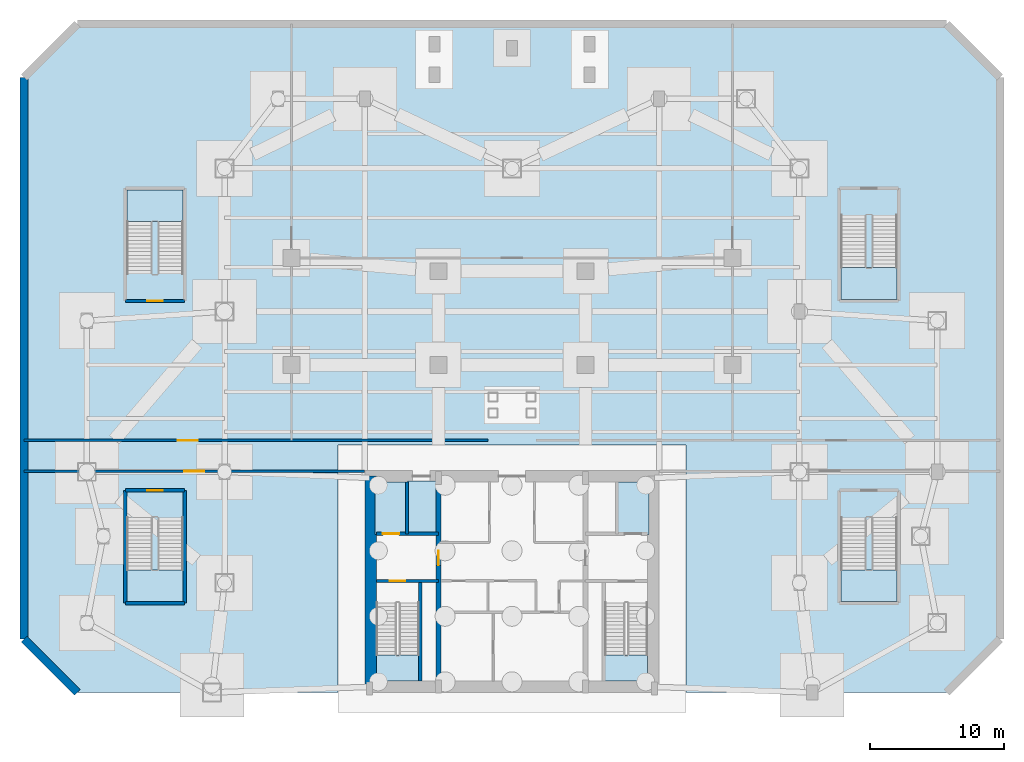
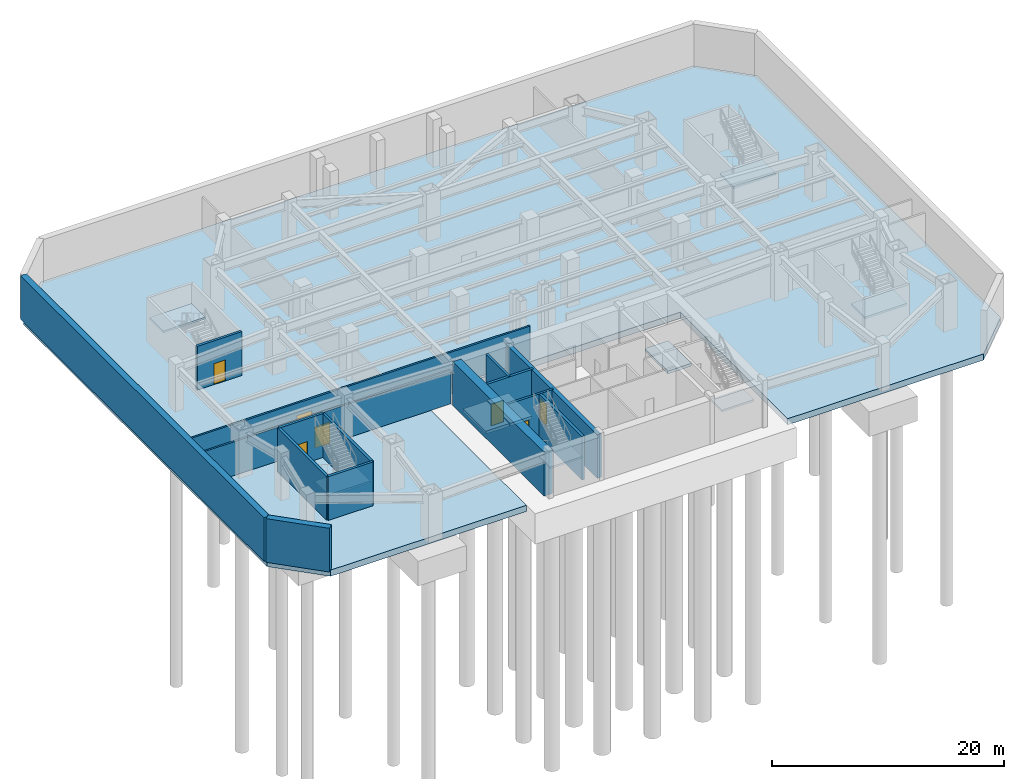
# One storey, part 3 of 7: 15 walls, 10 slabs, 7 doors, 7 openings, 6 elements without a shape of their own.
"""IFC4 building model written with IfcOpenShell, lengths in metres."""

import ifcopenshell
import ifcopenshell.guid

model = None  # the IFC model being written
_history = None  # IfcOwnerHistory: only IFC2X3 demands one
_inside = {}  # id of a spatial element -> (the spatial element, [elements in it])
_under = {}  # id of a project, library or spatial element -> (it, [spatial elements below it])
_declared = {}  # id of a project -> (the project, [libraries it declares])
_typed = {}  # id of a type object -> (the type object, [elements of that type])
_made_of = {}  # id of a material, layer set ... -> (it, [elements and type objects made of it])


def new_model(schema):
    """Start an empty IFC model of exactly this schema.

    Asked for "IFC4X3", IfcOpenShell would pick the latest addendum, in which some entities
    have other attributes; the version numbers below select the first issue.
    IFC2X3 requires an IfcOwnerHistory on every rooted entity: one is made here for all.
    """
    global model, _history
    if schema == "IFC4X3":
        model = ifcopenshell.file(schema_version=(4, 3, 0, 0))
    else:
        model = ifcopenshell.file(schema=schema)
    _inside.clear()
    _under.clear()
    _declared.clear()
    _typed.clear()
    _made_of.clear()
    _history = None
    if model.schema == "IFC2X3":
        org = make("IfcOrganization", Name="unknown")
        user = make(
            "IfcPersonAndOrganization",
            ThePerson=make("IfcPerson", FamilyName="unknown"),
            TheOrganization=org,
        )
        app = make(
            "IfcApplication",
            ApplicationDeveloper=org,
            Version="unknown",
            ApplicationFullName="unknown",
            ApplicationIdentifier="unknown",
        )
        _history = make(
            "IfcOwnerHistory",
            OwningUser=user,
            OwningApplication=app,
            ChangeAction="ADDED",
            CreationDate=0,
        )
    return model


def make(cls, **values):
    """One entity of the class cls with the attributes given. An attribute that is None is left unset."""
    return model.create_entity(
        cls, **{name: value for name, value in values.items() if value is not None}
    )


def rooted(cls, **values):
    """An entity with a GlobalId (a new one), such as an element, a storey or a relation."""
    return make(cls, GlobalId=ifcopenshell.guid.new(), OwnerHistory=_history, **values)


def si_unit(unit_type, name, prefix=None):
    """IfcSIUnit, for example si_unit("LENGTHUNIT", "METRE", prefix="MILLI")."""
    return make("IfcSIUnit", UnitType=unit_type, Prefix=prefix, Name=name)


def assignment(units):
    """IfcUnitAssignment: the units of a project."""
    return None if units is None else make("IfcUnitAssignment", Units=units)


def point(xyz):
    """IfcCartesianPoint."""
    return None if xyz is None else make("IfcCartesianPoint", Coordinates=xyz)


def direction(xyz):
    """IfcDirection."""
    return None if xyz is None else make("IfcDirection", DirectionRatios=xyz)


def frame(location, z_axis=None, x_axis=None):
    """IfcAxis2Placement3D, a coordinate frame: its origin and axes. An axis left out is left unset."""
    return make(
        "IfcAxis2Placement3D",
        Location=point(location),
        Axis=direction(z_axis),
        RefDirection=direction(x_axis),
    )


def frame_2d(location, x_axis=None):
    """IfcAxis2Placement2D, a coordinate frame in the plane: its origin and x axis."""
    return make(
        "IfcAxis2Placement2D", Location=point(location), RefDirection=direction(x_axis)
    )


def origin():
    """The frame at (0, 0, 0) with its axes left unset."""
    return frame((0.0, 0.0, 0.0))


def place(relative_to, where):
    """IfcLocalPlacement: puts the frame where relative to a parent placement (None: the world)."""
    return make(
        "IfcLocalPlacement", PlacementRelTo=relative_to, RelativePlacement=where
    )


def context(
    kind, dimensions, precision=None, world=None, true_north=None, identifier=None
):
    """IfcGeometricRepresentationContext, for example the 3D "Model" context."""
    return make(
        "IfcGeometricRepresentationContext",
        ContextIdentifier=identifier,
        ContextType=kind,
        CoordinateSpaceDimension=dimensions,
        Precision=precision,
        WorldCoordinateSystem=world,
        TrueNorth=true_north,
    )


def subcontext(parent, identifier, kind, view, scale=None):
    """IfcGeometricRepresentationSubContext, for example "Body" below "Model"."""
    return make(
        "IfcGeometricRepresentationSubContext",
        ContextIdentifier=identifier,
        ContextType=kind,
        ParentContext=parent,
        TargetScale=scale,
        TargetView=view,
    )


def project(units=None, contexts=None):
    """IfcProject with its units and contexts."""
    return rooted(
        "IfcProject",
        Name="project",
        RepresentationContexts=contexts,
        UnitsInContext=assignment(units),
    )


def spatial(cls, under=None, at=None, **own):
    """A site, building, storey or space (cls), placed at a placement, below another one or the project."""
    s = rooted(cls, ObjectPlacement=at, **own)
    if under is not None:
        _under.setdefault(under.id(), (under, []))[1].append(s)
    return s


def polyline(points):
    """IfcPolyline through the points."""
    return make("IfcPolyline", Points=[point(p) for p in points])


def profile(cls, at=None, kind="AREA", **sizes):
    """A parametric profile (cls). Its sizes go by their IFC names, for example OverallWidth=200.0."""
    return make(cls, ProfileType=kind, Position=at, **sizes)


def rectangle(**sizes):
    """IfcRectangleProfileDef."""
    return profile("IfcRectangleProfileDef", **sizes)


def outline(outer, holes=None, kind="AREA"):
    """IfcArbitraryClosedProfileDef: a profile drawn as a closed curve; with holes, ...WithVoids."""
    if holes is None:
        return make("IfcArbitraryClosedProfileDef", ProfileType=kind, OuterCurve=outer)
    return make(
        "IfcArbitraryProfileDefWithVoids",
        ProfileType=kind,
        OuterCurve=outer,
        InnerCurves=holes,
    )


def extrude(swept, where, along, depth):
    """IfcExtrudedAreaSolid: the profile swept, set in the frame where, extruded along a direction by depth."""
    return make(
        "IfcExtrudedAreaSolid",
        SweptArea=swept,
        Position=where,
        ExtrudedDirection=direction(along),
        Depth=depth,
    )


def shape(context_of_items, identifier, shape_type, items):
    """IfcShapeRepresentation: the items that make up one representation, for example the "Body"."""
    return make(
        "IfcShapeRepresentation",
        ContextOfItems=context_of_items,
        RepresentationIdentifier=identifier,
        RepresentationType=shape_type,
        Items=items,
    )


def source(mapping_origin, context_of_items, identifier, shape_type, items):
    """IfcRepresentationMap: a shape defined once, which mapped items show again and again."""
    return make(
        "IfcRepresentationMap",
        MappingOrigin=mapping_origin,
        MappedRepresentation=shape(context_of_items, identifier, shape_type, items),
    )


def transform(
    local_origin,
    x_axis=None,
    y_axis=None,
    z_axis=None,
    scale=None,
    scale2=None,
    scale3=None,
    uniform=True,
):
    """IfcCartesianTransformationOperator3D, or its non-uniform kind. x_axis, y_axis, z_axis: its Axis1, 2, 3."""
    if uniform:
        return make(
            "IfcCartesianTransformationOperator3D",
            Axis1=direction(x_axis),
            Axis2=direction(y_axis),
            LocalOrigin=point(local_origin),
            Scale=scale,
            Axis3=direction(z_axis),
        )
    return make(
        "IfcCartesianTransformationOperator3DnonUniform",
        Axis1=direction(x_axis),
        Axis2=direction(y_axis),
        LocalOrigin=point(local_origin),
        Scale=scale,
        Axis3=direction(z_axis),
        Scale2=scale2,
        Scale3=scale3,
    )


def mapped(mapping_source, mapping_target):
    """IfcMappedItem: shows the shape of a source again, moved by a transform."""
    return make(
        "IfcMappedItem", MappingSource=mapping_source, MappingTarget=mapping_target
    )


def material(Name=None, Category=None):
    """IfcMaterial."""
    return make("IfcMaterial", Name=Name, Category=Category)


def layer(
    of_material, thickness, ventilated=None, Name=None, Category=None, Priority=None
):
    """IfcMaterialLayer: one layer of a wall or slab, of a material (None: an air gap)."""
    return make(
        "IfcMaterialLayer",
        Material=of_material,
        LayerThickness=thickness,
        IsVentilated=ventilated,
        Name=Name,
        Category=Category,
        Priority=Priority,
    )


def layer_set(layers, Name=None):
    """IfcMaterialLayerSet."""
    return make("IfcMaterialLayerSet", MaterialLayers=layers, LayerSetName=Name)


def made_of(thing, what):
    """Note that an element or type object is made of a material, layer set ...; save() writes the relation."""
    if what is not None:
        _made_of.setdefault(what.id(), (what, []))[1].append(thing)
    return thing


def type_object(cls, material=None, **own):
    """A type object (cls), such as IfcWallType, which elements share."""
    return made_of(rooted(cls, **own), material)


def type_shapes(of_type, sources):
    """Give a type object the sources (RepresentationMaps) that its elements show as mapped items."""
    of_type.RepresentationMaps = sources


def element(
    cls,
    number,
    at=None,
    inside=None,
    cuts=None,
    type_object=None,
    material=None,
    context=None,
    identifier="Body",
    shape_type=None,
    held_by="IfcProductDefinitionShape",
    body=None,
    shapes=None,
    **own,
):
    """One element of the class cls, such as IfcWall. Its Tag is "e" and its number.

    at: its placement. inside: the storey or other place that contains it. cuts: it is an
    opening in that element (IfcRelVoidsElement). A single representation is given by context,
    identifier, shape_type and body (its items); several are given by shapes. held_by: the class
    of the entity that holds the representations. save() writes the other relations.
    """
    e = rooted(cls, Tag="e%d" % number, ObjectPlacement=at, **own)
    if body is not None:
        shapes = [shape(context, identifier, shape_type, body)]
    if shapes is not None:
        e.Representation = make(held_by, Representations=shapes)
    if inside is not None:
        _inside.setdefault(inside.id(), (inside, []))[1].append(e)
    if cuts is not None:
        rooted(
            "IfcRelVoidsElement", RelatingBuildingElement=cuts, RelatedOpeningElement=e
        )
    if type_object is not None:
        _typed.setdefault(type_object.id(), (type_object, []))[1].append(e)
    return made_of(e, material)


def fill(opening, filler):
    """IfcRelFillsElement: the door or window that sits in an opening."""
    return rooted(
        "IfcRelFillsElement",
        RelatingOpeningElement=opening,
        RelatedBuildingElement=filler,
    )


def aggregate(whole, parts):
    """IfcRelAggregates: a whole, such as a stair, and the parts it consists of."""
    return rooted("IfcRelAggregates", RelatingObject=whole, RelatedObjects=parts)


def save(model, path):
    """Write the relations noted so far, then the file.

    IfcRelAggregates (storeys below a building ...), IfcRelContainedInSpatialStructure (elements
    in a storey), IfcRelDefinesByType, IfcRelAssociatesMaterial and IfcRelDeclares: one each for
    every whole, place, type object, material and project.
    """
    for whole, parts in _under.values():
        aggregate(whole, parts)
    for where, things in _inside.values():
        rooted(
            "IfcRelContainedInSpatialStructure",
            RelatedElements=things,
            RelatingStructure=where,
        )
    for kind, things in _typed.values():
        rooted("IfcRelDefinesByType", RelatedObjects=things, RelatingType=kind)
    for what, things in _made_of.values():
        rooted("IfcRelAssociatesMaterial", RelatedObjects=things, RelatingMaterial=what)
    for by, libraries in _declared.values():
        rooted("IfcRelDeclares", RelatingContext=by, RelatedDefinitions=libraries)
    model.write(path)


model = new_model("IFC4")

# Units and contexts
model_context = context("Model", 3, precision=1e-05, world=origin(), true_north=direction((0.0, 1.0)))
body_context = subcontext(model_context, "Body", "Model", "MODEL_VIEW")
ifc_project = project(units=[si_unit("LENGTHUNIT", "METRE"), si_unit("AREAUNIT", "SQUARE_METRE"), si_unit("VOLUMEUNIT", "CUBIC_METRE"), si_unit("PLANEANGLEUNIT", "RADIAN"), si_unit("MASSUNIT", "GRAM", prefix="KILO")], contexts=[model_context])

# Site, building, storey
site_placement = place(None, origin())
site = spatial("IfcSite", under=ifc_project, at=site_placement, CompositionType="ELEMENT")
building_placement = place(site_placement, origin())
building = spatial("IfcBuilding", under=site, at=building_placement, Name="Varnakhor Terracotta Tower", CompositionType="ELEMENT")
storey_placement = place(building_placement, frame((0.0, 0.0, -10.0)))
storey = spatial("IfcBuildingStorey", under=building, at=storey_placement, Name="B02", CompositionType="ELEMENT", Elevation=-10.0)

# Stair, slab
ifc_material_1 = material(Name="Concrete C40/50", Category="concrete")
stair_type_1 = type_object("IfcStairType", Name="STR-CORE-OFFICE-1500", PredefinedType="HALF_TURN_STAIR", material=ifc_material_1)
stair_1_placement = place(storey_placement, origin())
stair_1 = element("IfcStair", 1, at=stair_1_placement, inside=storey, type_object=stair_type_1, Name="B02 Core Exit Stair ST-1", PredefinedType="HALF_TURN_STAIR")
ifc_layer_1 = layer(ifc_material_1, 0.179931640625, Name="Concrete C40/50")
ifc_layer_set_1 = layer_set([ifc_layer_1], Name="Concrete C40/50")
slab_type_1 = type_object("IfcSlabType", Name="SLB-LANDING-180", PredefinedType="LANDING", material=ifc_layer_set_1)
slab_1_placement = place(storey_placement, frame((0.0, 0.0, 2.300048828125)))
slab_1 = element("IfcSlab", 2, at=slab_1_placement, type_object=slab_type_1, Name="ST-1 landing 1", PredefinedType="LANDING", context=body_context, shape_type="SweptSolid", body=[
    extrude(outline(polyline([(-10.14990234375, 2.7900390625), (-10.14990234375, 0.85009765625), (-6.949951171875, 0.85009765625), (-6.949951171875, 2.7900390625), (-10.14990234375, 2.7900390625)])), origin(), (0.0, 0.0, 1.0), 0.199951171875),
])
aggregate(stair_1, [slab_1])

stair_2_placement = place(storey_placement, origin())
stair_2 = element("IfcStair", 3, at=stair_2_placement, inside=storey, type_object=stair_type_1, Name="B02 Core Exit Stair ST-2", PredefinedType="HALF_TURN_STAIR")
slab_2_placement = place(storey_placement, frame((0.0, 0.0, 2.300048828125)))
slab_2 = element("IfcSlab", 4, at=slab_2_placement, type_object=slab_type_1, Name="ST-2 landing 1", PredefinedType="LANDING", context=body_context, shape_type="SweptSolid", body=[
    extrude(outline(polyline([(6.949951171875, 2.7900390625), (6.949951171875, 0.85009765625), (10.14990234375, 0.85009765625), (10.14990234375, 2.7900390625), (6.949951171875, 2.7900390625)])), origin(), (0.0, 0.0, 1.0), 0.199951171875),
])
aggregate(stair_2, [slab_2])

stair_type_2 = type_object("IfcStairType", Name="STR-PODIUM-EXIT-2000", PredefinedType="HALF_TURN_STAIR", material=ifc_material_1)
stair_3_placement = place(storey_placement, origin())
stair_3 = element("IfcStair", 5, at=stair_3_placement, inside=storey, type_object=stair_type_2, Name="B02 Podium Assembly Exit Stair ST-P1", PredefinedType="HALF_TURN_STAIR")
slab_3_placement = place(storey_placement, frame((0.0, 0.0, 2.300048828125)))
slab_3 = element("IfcSlab", 6, at=slab_3_placement, type_object=slab_type_1, Name="ST-P1 landing 1", PredefinedType="LANDING", context=body_context, shape_type="SweptSolid", body=[
    extrude(outline(polyline([(-28.800048828125, 9.179931640625), (-28.800048828125, 6.800048828125), (-24.60009765625, 6.800048828125), (-24.60009765625, 9.179931640625), (-28.800048828125, 9.179931640625)])), origin(), (0.0, 0.0, 1.0), 0.199951171875),
])
aggregate(stair_3, [slab_3])

stair_4_placement = place(storey_placement, origin())
stair_4 = element("IfcStair", 7, at=stair_4_placement, inside=storey, type_object=stair_type_2, Name="B02 Podium Assembly Exit Stair ST-P2", PredefinedType="HALF_TURN_STAIR")
slab_4_placement = place(storey_placement, frame((0.0, 0.0, 2.300048828125)))
slab_4 = element("IfcSlab", 8, at=slab_4_placement, type_object=slab_type_1, Name="ST-P2 landing 1", PredefinedType="LANDING", context=body_context, shape_type="SweptSolid", body=[
    extrude(outline(polyline([(24.60009765625, 9.179931640625), (24.60009765625, 6.800048828125), (28.800048828125, 6.800048828125), (28.800048828125, 9.179931640625), (24.60009765625, 9.179931640625)])), origin(), (0.0, 0.0, 1.0), 0.199951171875),
])
aggregate(stair_4, [slab_4])

stair_5_placement = place(storey_placement, origin())
stair_5 = element("IfcStair", 9, at=stair_5_placement, inside=storey, type_object=stair_type_2, Name="B02 Podium Assembly Exit Stair ST-P3", PredefinedType="HALF_TURN_STAIR")
slab_5_placement = place(storey_placement, frame((0.0, 0.0, 2.300048828125)))
slab_5 = element("IfcSlab", 10, at=slab_5_placement, type_object=slab_type_1, Name="ST-P3 landing 1", PredefinedType="LANDING", context=body_context, shape_type="SweptSolid", body=[
    extrude(outline(polyline([(-24.60009765625, 35.219970703125), (-24.60009765625, 37.60009765625), (-28.800048828125, 37.60009765625), (-28.800048828125, 35.219970703125), (-24.60009765625, 35.219970703125)])), origin(), (0.0, 0.0, 1.0), 0.199951171875),
])
aggregate(stair_5, [slab_5])

stair_6_placement = place(storey_placement, origin())
stair_6 = element("IfcStair", 11, at=stair_6_placement, inside=storey, type_object=stair_type_2, Name="B02 Podium Assembly Exit Stair ST-P4", PredefinedType="HALF_TURN_STAIR")
slab_6_placement = place(storey_placement, frame((0.0, 0.0, 2.300048828125)))
slab_6 = element("IfcSlab", 12, at=slab_6_placement, type_object=slab_type_1, Name="ST-P4 landing 1", PredefinedType="LANDING", context=body_context, shape_type="SweptSolid", body=[
    extrude(outline(polyline([(24.60009765625, 31.780029296875), (24.60009765625, 29.39990234375), (28.800048828125, 29.39990234375), (28.800048828125, 31.780029296875), (24.60009765625, 31.780029296875)])), origin(), (0.0, 0.0, 1.0), 0.199951171875),
])
aggregate(stair_6, [slab_6])

# Slabs
ifc_material_2 = material(Name="Concrete C50/60", Category="concrete")
ifc_layer_2 = layer(ifc_material_2, 0.64990234375, Name="Concrete C50/60")
ifc_layer_set_2 = layer_set([ifc_layer_2], Name="Concrete C50/60")
slab_type_2 = type_object("IfcSlabType", Name="SLB-MAT-650", PredefinedType="BASESLAB", material=ifc_layer_set_2)
slab_7_placement = place(storey_placement, frame((0.0, 0.0, -0.64990234375)))
element("IfcSlab", 13, at=slab_7_placement, inside=storey, type_object=slab_type_2, Name="B02 Structural Floor Slab", PredefinedType="BASESLAB", context=body_context, shape_type="SweptSolid", body=[
    extrude(outline(polyline([(-32.5, 0.0), (-36.5, 4.0), (-36.5, 46.0), (-32.5, 50.0), (32.5, 50.0), (36.5, 46.0), (36.5, 4.0), (32.5, 0.0), (13.0, 0.0), (13.0, 18.5), (-13.0, 18.5), (-13.0, 0.0), (-32.5, 0.0)])), origin(), (0.0, 0.0, 1.0), 0.64990234375),
])
ifc_layer_3 = layer(ifc_material_1, 0.300048828125, Name="Concrete C40/50")
ifc_layer_set_3 = layer_set([ifc_layer_3], Name="Concrete C40/50")
slab_type_3 = type_object("IfcSlabType", Name="SLB-PLANT-300", PredefinedType="FLOOR", material=ifc_layer_set_3)
slab_8_placement = place(storey_placement, frame((0.0, 0.0, -0.64990234375)))
element("IfcSlab", 14, at=slab_8_placement, inside=storey, type_object=slab_type_3, Name="Lift FFL-1 Structural Pit Base Slab", PredefinedType="FLOOR", context=body_context, shape_type="SweptSolid", body=[
    extrude(outline(polyline([(-10.22998046875, 11.800048828125), (-7.8701171875, 11.800048828125), (-7.8701171875, 15.72998046875), (-10.22998046875, 15.72998046875), (-10.22998046875, 11.800048828125)])), origin(), (0.0, 0.0, 1.0), 0.2998046875),
])
slab_9_placement = place(storey_placement, frame((0.0, 0.0, -0.64990234375)))
element("IfcSlab", 15, at=slab_9_placement, inside=storey, type_object=slab_type_3, Name="Lift FFL-2 Structural Pit Base Slab", PredefinedType="FLOOR", context=body_context, shape_type="SweptSolid", body=[
    extrude(outline(polyline([(7.8701171875, 11.800048828125), (10.22998046875, 11.800048828125), (10.22998046875, 15.72998046875), (7.8701171875, 15.72998046875), (7.8701171875, 11.800048828125)])), origin(), (0.0, 0.0, 1.0), 0.2998046875),
])
slab_10_placement = place(storey_placement, frame((0.0, 0.0, -0.64990234375)))
element("IfcSlab", 16, at=slab_10_placement, inside=storey, type_object=slab_type_3, Name="Lift SVL-1 Structural Pit Base Slab", PredefinedType="FLOOR", context=body_context, shape_type="SweptSolid", body=[
    extrude(outline(polyline([(-7.81005859375, 11.800048828125), (-5.6201171875, 11.800048828125), (-5.6201171875, 15.830078125), (-7.81005859375, 15.830078125), (-7.81005859375, 11.800048828125)])), origin(), (0.0, 0.0, 1.0), 0.2998046875),
])

# Walls
ifc_layer_4 = layer(ifc_material_1, 0.60009765625, Name="Concrete C40/50")
ifc_layer_set_4 = layer_set([ifc_layer_4], Name="Concrete C40/50")
wall_type_1 = type_object("IfcWallType", Name="WAL-BSM-RET-600", PredefinedType="SOLIDWALL", material=ifc_layer_set_4)
wall_1_placement = place(storey_placement, frame((-36.5, 46.0, 0.0), z_axis=(0.0, 0.0, 1.0), x_axis=(0.0, -1.0, 0.0)))
element("IfcWall", 17, at=wall_1_placement, inside=storey, type_object=wall_type_1, Name="B02 Perimeter Retaining Wall 7", PredefinedType="SOLIDWALL", context=body_context, shape_type="SweptSolid", body=[
    extrude(rectangle(XDim=42.0, YDim=0.60009765625, at=frame_2d((21.0, 0.0))), origin(), (0.0, 0.0, 1.0), 4.60009765625),
])
wall_2_placement = place(storey_placement, frame((-36.5, 4.0, 0.0), z_axis=(0.0, 0.0, 1.0), x_axis=(0.707106781187, -0.707106781187, 0.0)))
element("IfcWall", 18, at=wall_2_placement, inside=storey, type_object=wall_type_1, Name="B02 Perimeter Retaining Wall 8", PredefinedType="SOLIDWALL", context=body_context, shape_type="SweptSolid", body=[
    extrude(rectangle(XDim=5.65673828125, YDim=0.60009765625, at=frame_2d((2.828369140625, 0.0))), origin(), (0.0, 0.0, 1.0), 4.60009765625),
])
ifc_material_3 = material(Name="Concrete C60/75", Category="concrete")
ifc_layer_5 = layer(ifc_material_3, 0.85009765625, Name="Concrete C60/75")
ifc_layer_set_5 = layer_set([ifc_layer_5], Name="Concrete C60/75")
wall_type_2 = type_object("IfcWallType", Name="WAL-CORE-850", PredefinedType="SHEAR", material=ifc_layer_set_5)
wall_3_placement = place(storey_placement, frame((-10.574951171875, 0.425048828125, 0.0), z_axis=(0.0, 0.0, 1.0), x_axis=(0.0, 1.0, 0.0)))
element("IfcWall", 19, at=wall_3_placement, inside=storey, type_object=wall_type_2, Name="B02 West Core Shear Wall", PredefinedType="SHEAR", context=body_context, shape_type="SweptSolid", body=[
    extrude(rectangle(XDim=15.75, YDim=0.85009765625, at=frame_2d((7.875, 0.0))), origin(), (0.0, 0.0, 1.0), 4.60009765625),
])

# Wall, opening, door
ifc_layer_6 = layer(ifc_material_2, 0.39990234375, Name="Concrete C50/60")
ifc_layer_set_6 = layer_set([ifc_layer_6], Name="Concrete C50/60")
wall_type_3 = type_object("IfcWallType", Name="WAL-CORE-WEB-400", PredefinedType="SHEAR", material=ifc_layer_set_6)
wall_4_placement = place(storey_placement, frame((-5.5, 0.425048828125, 0.0), z_axis=(0.0, 0.0, 1.0), x_axis=(0.0, 1.0, 0.0)))
wall_4 = element("IfcWall", 20, at=wall_4_placement, inside=storey, type_object=wall_type_3, Name="B02 West Core Web Shear Wall", PredefinedType="SHEAR", context=body_context, shape_type="SweptSolid", body=[
    extrude(rectangle(XDim=15.75, YDim=0.39990234375, at=frame_2d((7.875, 0.0))), origin(), (0.0, 0.0, 1.0), 4.60009765625),
])
opening_1_placement = place(wall_4_placement, frame((9.074951171875, 0.0, 0.0)))
opening_1 = element("IfcOpeningElement", 21, at=opening_1_placement, cuts=wall_4, Name="Opening DR-25", PredefinedType="OPENING", context=body_context, shape_type="SweptSolid", body=[
    extrude(rectangle(XDim=1.10009765625, YDim=2.199951171875, at=frame_2d((0.550048828125, 1.10009765625))), frame((0.0, 0.2099609375, 0.0), z_axis=(0.0, -1.0, 0.0), x_axis=(1.0, 0.0, 0.0)), (0.0, 0.0, 1.0), 0.419921875),
])
ifc_material_4 = material(Name="Firefighting Lobby Self-Closing Fire Door", Category="steel")
door_type_1 = type_object("IfcDoorType", Name="DR-FFL-1100X2200", OperationType="NOTDEFINED", PredefinedType="DOOR", material=ifc_material_4)
shared_shape_1 = source(origin(), body_context, "Body", "SweptSolid", [
    extrude(rectangle(XDim=1.10009765625, YDim=2.199951171875, at=frame_2d((0.550048828125, 1.10009765625))), frame((0.0, 0.02490234375, 0.0), z_axis=(0.0, -1.0, 0.0), x_axis=(1.0, 0.0, 0.0)), (0.0, 0.0, 1.0), 0.050048828125),
])
type_shapes(door_type_1, [shared_shape_1])
door_1_placement = place(opening_1_placement, origin())
door_1 = element("IfcDoor", 22, at=door_1_placement, inside=storey, type_object=door_type_1, Name="B02 West Firefighting Lobby Door", OperationType="SINGLE_SWING_RIGHT", OverallHeight=2.199951171875, OverallWidth=1.10009765625, PredefinedType="DOOR", context=body_context, shape_type="MappedRepresentation", body=[
    mapped(shared_shape_1, transform((0.0, 0.0, 0.0), scale=1.0)),
])
fill(opening_1, door_1)

ifc_material_5 = material(Name="Fire-Rated Gypsum Stud Partition", Category="gypsum")
ifc_layer_7 = layer(ifc_material_5, 0.18505859375, Name="Fire-Rated Gypsum Stud Partition")
ifc_layer_set_7 = layer_set([ifc_layer_7], Name="Fire-Rated Gypsum Stud Partition")
wall_type_4 = type_object("IfcWallType", Name="WAL-CORR-185", PredefinedType="PARTITIONING", material=ifc_layer_set_7)
wall_5_placement = place(storey_placement, frame((-36.489990234375, 16.550048828125, 0.0), z_axis=(0.0, 0.0, 1.0), x_axis=(1.0, 0.0, 0.0)))
wall_5 = element("IfcWall", 23, at=wall_5_placement, inside=storey, type_object=wall_type_4, Name="B02 West Plant Corridor Wall", PredefinedType="PARTITIONING", context=body_context, shape_type="SweptSolid", body=[
    extrude(rectangle(XDim=25.469970703125, YDim=0.18505859375, at=frame_2d((12.73486328125, 0.0))), origin(), (0.0, 0.0, 1.0), 3.552001953125),
])
opening_2_placement = place(wall_5_placement, frame((11.985107421875, 0.0, 0.0)))
opening_2 = element("IfcOpeningElement", 24, at=opening_2_placement, cuts=wall_5, Name="Opening DR-30", PredefinedType="OPENING", context=body_context, shape_type="SweptSolid", body=[
    extrude(rectangle(XDim=1.5, YDim=2.25, at=frame_2d((0.75, 1.125))), frame((0.0, 0.1025390625, 0.0), z_axis=(0.0, -1.0, 0.0), x_axis=(1.0, 0.0, 0.0)), (0.0, 0.0, 1.0), 0.205078125),
])
ifc_material_6 = material(Name="Double Acoustic Conference Room Door", Category="wood")
door_type_2 = type_object("IfcDoorType", Name="DR-MEET-1500X2250", OperationType="NOTDEFINED", PredefinedType="DOOR", material=ifc_material_6)
shared_shape_2 = source(origin(), body_context, "Body", "SweptSolid", [
    extrude(rectangle(XDim=1.5, YDim=2.25, at=frame_2d((0.75, 1.125))), frame((0.0, 0.02490234375, 0.0), z_axis=(0.0, -1.0, 0.0), x_axis=(1.0, 0.0, 0.0)), (0.0, 0.0, 1.0), 0.050048828125),
])
type_shapes(door_type_2, [shared_shape_2])
door_2_placement = place(opening_2_placement, origin())
door_2 = element("IfcDoor", 25, at=door_2_placement, inside=storey, type_object=door_type_2, Name="B02 SW Plant Door", OperationType="DOUBLE_DOOR_SINGLE_SWING", OverallHeight=2.25, OverallWidth=1.5, PredefinedType="DOOR", context=body_context, shape_type="MappedRepresentation", body=[
    mapped(shared_shape_2, transform((0.0, 0.0, 0.0), scale=1.0)),
])
fill(opening_2, door_2)

wall_6_placement = place(storey_placement, frame((-36.489990234375, 18.85009765625, 0.0), z_axis=(0.0, 0.0, 1.0), x_axis=(1.0, 0.0, 0.0)))
wall_6 = element("IfcWall", 26, at=wall_6_placement, inside=storey, type_object=wall_type_4, Name="B02 Corridor North West Wall", PredefinedType="PARTITIONING", context=body_context, shape_type="SweptSolid", body=[
    extrude(rectangle(XDim=34.68994140625, YDim=0.18505859375, at=frame_2d((17.344970703125, 0.0))), origin(), (0.0, 0.0, 1.0), 3.552001953125),
])
opening_3_placement = place(wall_6_placement, frame((11.493408203125, 0.0, 0.0)))
opening_3 = element("IfcOpeningElement", 27, at=opening_3_placement, cuts=wall_6, Name="Opening DR-30", PredefinedType="OPENING", context=body_context, shape_type="SweptSolid", body=[
    extrude(rectangle(XDim=1.5, YDim=2.25, at=frame_2d((0.75, 1.125))), frame((0.0, 0.1025390625, 0.0), z_axis=(0.0, -1.0, 0.0), x_axis=(1.0, 0.0, 0.0)), (0.0, 0.0, 1.0), 0.205078125),
])
door_3_placement = place(opening_3_placement, origin())
door_3 = element("IfcDoor", 28, at=door_3_placement, inside=storey, type_object=door_type_2, Name="B02 West Hall Door", OperationType="DOUBLE_DOOR_SINGLE_SWING", OverallHeight=2.25, OverallWidth=1.5, PredefinedType="DOOR", context=body_context, shape_type="MappedRepresentation", body=[
    mapped(shared_shape_2, transform((0.0, 0.0, 0.0), scale=1.0)),
])
fill(opening_3, door_3)

ifc_layer_8 = layer(ifc_material_1, 0.219970703125, Name="Concrete C40/50")
ifc_layer_set_8 = layer_set([ifc_layer_8], Name="Concrete C40/50")
wall_type_5 = type_object("IfcWallType", Name="WAL-FFLOBBY-220", PredefinedType="SOLIDWALL", material=ifc_layer_set_8)
wall_7_placement = place(storey_placement, frame((-5.5, 8.35009765625, 0.0), z_axis=(0.0, 0.0, 1.0), x_axis=(-1.0, 0.0, 0.0)))
wall_7 = element("IfcWall", 29, at=wall_7_placement, inside=storey, type_object=wall_type_5, Name="B02 West Firefighting Lobby Stair Wall", PredefinedType="SOLIDWALL", context=body_context, shape_type="SweptSolid", body=[
    extrude(rectangle(XDim=4.64990234375, YDim=0.219970703125, at=frame_2d((2.324951171875, 0.0))), origin(), (0.0, 0.0, 1.0), 4.60009765625),
])
opening_4_placement = place(wall_7_placement, frame((2.5, 0.0, 0.0)))
opening_4 = element("IfcOpeningElement", 30, at=opening_4_placement, cuts=wall_7, Name="Opening DR-34", PredefinedType="OPENING", context=body_context, shape_type="SweptSolid", body=[
    extrude(rectangle(XDim=1.14990234375, YDim=2.199951171875, at=frame_2d((0.574951171875, 1.10009765625))), frame((0.0, 0.1201171875, 0.0), z_axis=(0.0, -1.0, 0.0), x_axis=(1.0, 0.0, 0.0)), (0.0, 0.0, 1.0), 0.239990234375),
])
ifc_material_7 = material(Name="Self-Closing Smoke-Sealed Steel Fire Door", Category="steel")
door_type_3 = type_object("IfcDoorType", Name="DR-STAIR-1150X2200", OperationType="NOTDEFINED", PredefinedType="DOOR", material=ifc_material_7)
shared_shape_3 = source(origin(), body_context, "Body", "SweptSolid", [
    extrude(rectangle(XDim=1.14990234375, YDim=2.199951171875, at=frame_2d((0.574951171875, 1.10009765625))), frame((0.0, 0.02490234375, 0.0), z_axis=(0.0, -1.0, 0.0), x_axis=(1.0, 0.0, 0.0)), (0.0, 0.0, 1.0), 0.050048828125),
])
type_shapes(door_type_3, [shared_shape_3])
door_4_placement = place(opening_4_placement, origin())
door_4 = element("IfcDoor", 31, at=door_4_placement, inside=storey, type_object=door_type_3, Name="B02 Exit Stair ST-1 Fire Door", OperationType="SINGLE_SWING_LEFT", OverallHeight=2.199951171875, OverallWidth=1.14990234375, PredefinedType="DOOR", context=body_context, shape_type="MappedRepresentation", body=[
    mapped(shared_shape_3, transform((0.0, 0.0, 0.0), scale=1.0)),
])
fill(opening_4, door_4)

# Walls
ifc_layer_9 = layer(ifc_material_1, 0.219970703125, Name="Concrete C40/50")
ifc_layer_set_9 = layer_set([ifc_layer_9], Name="Concrete C40/50")
wall_type_6 = type_object("IfcWallType", Name="WAL-SHAFT-220", PredefinedType="SOLIDWALL", material=ifc_layer_set_9)
wall_8_placement = place(storey_placement, frame((-7.840087890625, 11.8701171875, 0.0), z_axis=(0.0, 0.0, 1.0), x_axis=(0.0, 1.0, 0.0)))
element("IfcWall", 32, at=wall_8_placement, inside=storey, type_object=wall_type_6, Name="B02 Lift FFL-1 and SVL-1 Divider Wall", PredefinedType="SOLIDWALL", context=body_context, shape_type="SweptSolid", body=[
    extrude(rectangle(XDim=3.8798828125, YDim=0.219970703125, at=frame_2d((1.93994140625, 0.0))), origin(), (0.0, 0.0, 1.0), 4.60009765625),
])
ifc_layer_10 = layer(ifc_material_1, 0.25, Name="Concrete C40/50")
ifc_layer_set_10 = layer_set([ifc_layer_10], Name="Concrete C40/50")
wall_type_7 = type_object("IfcWallType", Name="WAL-SHAFT-250", PredefinedType="SOLIDWALL", material=ifc_layer_set_10)
wall_9_placement = place(storey_placement, frame((-6.85009765625, 0.85009765625, 0.0), z_axis=(0.0, 0.0, 1.0), x_axis=(0.0, 1.0, 0.0)))
element("IfcWall", 33, at=wall_9_placement, inside=storey, type_object=wall_type_7, Name="B02 Stair ST-1 Bearing Shaft Wall", PredefinedType="SOLIDWALL", context=body_context, shape_type="SweptSolid", body=[
    extrude(rectangle(XDim=7.5, YDim=0.25, at=frame_2d((3.75, 0.0))), origin(), (0.0, 0.0, 1.0), 4.60009765625),
])

# Wall, opening, door
wall_10_placement = place(storey_placement, frame((-5.5, 11.8701171875, 0.0), z_axis=(0.0, 0.0, 1.0), x_axis=(-1.0, 0.0, 0.0)))
wall_10 = element("IfcWall", 34, at=wall_10_placement, inside=storey, type_object=wall_type_7, Name="B02 Lift FFL-1 Shaft Front Wall", PredefinedType="SOLIDWALL", context=body_context, shape_type="SweptSolid", body=[
    extrude(rectangle(XDim=4.64990234375, YDim=0.25, at=frame_2d((2.324951171875, 0.0))), origin(), (0.0, 0.0, 1.0), 4.60009765625),
])
opening_5_placement = place(wall_10_placement, frame((2.949951171875, 0.0, 0.0)))
opening_5 = element("IfcOpeningElement", 35, at=opening_5_placement, cuts=wall_10, Name="Opening LD-02", PredefinedType="OPENING", context=body_context, shape_type="SweptSolid", body=[
    extrude(rectangle(XDim=1.199951171875, YDim=2.25, at=frame_2d((0.60009765625, 1.125))), frame((0.0, 0.135009765625, 0.0), z_axis=(0.0, -1.0, 0.0), x_axis=(1.0, 0.0, 0.0)), (0.0, 0.0, 1.0), 0.27001953125),
])
ifc_material_8 = material(Name="Firefighting Stretcher Sliding Lift Landing Door", Category="steel")
door_type_4 = type_object("IfcDoorType", Name="LD-FFL-1200X2250", OperationType="NOTDEFINED", PredefinedType="DOOR", material=ifc_material_8)
shared_shape_4 = source(origin(), body_context, "Body", "SweptSolid", [
    extrude(rectangle(XDim=1.199951171875, YDim=2.25, at=frame_2d((0.60009765625, 1.125))), frame((0.0, 0.02490234375, 0.0), z_axis=(0.0, -1.0, 0.0), x_axis=(1.0, 0.0, 0.0)), (0.0, 0.0, 1.0), 0.050048828125),
])
type_shapes(door_type_4, [shared_shape_4])
door_5_placement = place(opening_5_placement, origin())
door_5 = element("IfcDoor", 36, at=door_5_placement, inside=storey, type_object=door_type_4, Name="B02 Firefighting Lift FFL-1 Landing Door", OperationType="SLIDING_TO_LEFT", OverallHeight=2.25, OverallWidth=1.199951171875, PredefinedType="DOOR", context=body_context, shape_type="MappedRepresentation", body=[
    mapped(shared_shape_4, transform((0.0, 0.0, 0.0), scale=1.0)),
])
fill(opening_5, door_5)

# Walls
for number, where, z_axis, x_axis, name in (
    (37, (-28.919921875, 6.679931640625, 0.0), (0.0, 0.0, 1.0), (0.0, 1.0, 0.0), "B02 ST-P1 Bearing Shaft Wall W"),
    (38, (-24.47998046875, 6.679931640625, 0.0), (0.0, 0.0, 1.0), (0.0, 1.0, 0.0), "B02 ST-P1 Bearing Shaft Wall E"),
):
    element("IfcWall", number, at=place(storey_placement, frame(where, z_axis=z_axis, x_axis=x_axis)), inside=storey, type_object=wall_type_7, Name=name, PredefinedType="SOLIDWALL", context=body_context, shape_type="SweptSolid", body=[
        extrude(rectangle(XDim=8.440185546875, YDim=0.25, at=frame_2d((4.22021484375, 0.0))), origin(), (0.0, 0.0, 1.0), 4.60009765625),
    ])
wall_11_placement = place(storey_placement, frame((-28.919921875, 6.679931640625, 0.0), z_axis=(0.0, 0.0, 1.0), x_axis=(1.0, 0.0, 0.0)))
element("IfcWall", 39, at=wall_11_placement, inside=storey, type_object=wall_type_7, Name="B02 ST-P1 Bearing Shaft Wall S", PredefinedType="SOLIDWALL", context=body_context, shape_type="SweptSolid", body=[
    extrude(rectangle(XDim=4.43994140625, YDim=0.25, at=frame_2d((2.219970703125, 0.0))), origin(), (0.0, 0.0, 1.0), 4.60009765625),
])

# Wall, opening, door
wall_12_placement = place(storey_placement, frame((-24.47998046875, 15.1201171875, 0.0), z_axis=(0.0, 0.0, 1.0), x_axis=(-1.0, 0.0, 0.0)))
wall_12 = element("IfcWall", 40, at=wall_12_placement, inside=storey, type_object=wall_type_7, Name="B02 ST-P1 Bearing Shaft Wall N", PredefinedType="SOLIDWALL", context=body_context, shape_type="SweptSolid", body=[
    extrude(rectangle(XDim=4.43994140625, YDim=0.25, at=frame_2d((2.219970703125, 0.0))), origin(), (0.0, 0.0, 1.0), 4.60009765625),
])
opening_6_placement = place(wall_12_placement, frame((1.64501953125, 0.0, 0.0)))
opening_6 = element("IfcOpeningElement", 41, at=opening_6_placement, cuts=wall_12, Name="Opening DR-34", PredefinedType="OPENING", context=body_context, shape_type="SweptSolid", body=[
    extrude(rectangle(XDim=1.14990234375, YDim=2.199951171875, at=frame_2d((0.574951171875, 1.10009765625))), frame((0.0, 0.135009765625, 0.0), z_axis=(0.0, -1.0, 0.0), x_axis=(1.0, 0.0, 0.0)), (0.0, 0.0, 1.0), 0.27001953125),
])
door_6_placement = place(opening_6_placement, origin())
door_6 = element("IfcDoor", 42, at=door_6_placement, inside=storey, type_object=door_type_3, Name="B02 Exit Stair ST-P1 Fire Door", OperationType="SINGLE_SWING_RIGHT", OverallHeight=2.199951171875, OverallWidth=1.14990234375, PredefinedType="DOOR", context=body_context, shape_type="MappedRepresentation", body=[
    mapped(shared_shape_3, transform((0.0, 0.0, 0.0), scale=1.0)),
])
fill(opening_6, door_6)

wall_13_placement = place(storey_placement, frame((-28.919921875, 29.280029296875, 0.0), z_axis=(0.0, 0.0, 1.0), x_axis=(1.0, 0.0, 0.0)))
wall_13 = element("IfcWall", 43, at=wall_13_placement, inside=storey, type_object=wall_type_7, Name="B02 ST-P3 Bearing Shaft Wall S", PredefinedType="SOLIDWALL", context=body_context, shape_type="SweptSolid", body=[
    extrude(rectangle(XDim=4.43994140625, YDim=0.25, at=frame_2d((2.219970703125, 0.0))), origin(), (0.0, 0.0, 1.0), 4.60009765625),
])
opening_7_placement = place(wall_13_placement, frame((1.64501953125, 0.0, 0.0)))
opening_7 = element("IfcOpeningElement", 44, at=opening_7_placement, cuts=wall_13, Name="Opening DR-34", PredefinedType="OPENING", context=body_context, shape_type="SweptSolid", body=[
    extrude(rectangle(XDim=1.14990234375, YDim=2.199951171875, at=frame_2d((0.574951171875, 1.10009765625))), frame((0.0, 0.135009765625, 0.0), z_axis=(0.0, -1.0, 0.0), x_axis=(1.0, 0.0, 0.0)), (0.0, 0.0, 1.0), 0.27001953125),
])
door_7_placement = place(opening_7_placement, origin())
door_7 = element("IfcDoor", 45, at=door_7_placement, inside=storey, type_object=door_type_3, Name="B02 Exit Stair ST-P3 Fire Door", OperationType="SINGLE_SWING_RIGHT", OverallHeight=2.199951171875, OverallWidth=1.14990234375, PredefinedType="DOOR", context=body_context, shape_type="MappedRepresentation", body=[
    mapped(shared_shape_3, transform((0.0, 0.0, 0.0), scale=1.0)),
])
fill(opening_7, door_7)

save(model, "model.ifc")
